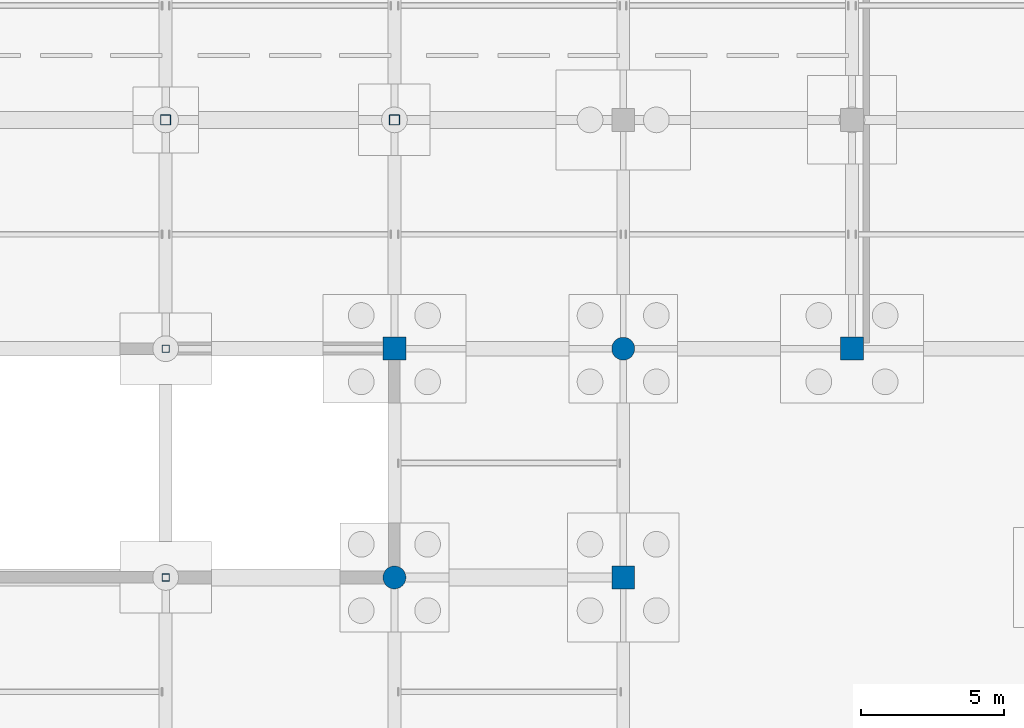
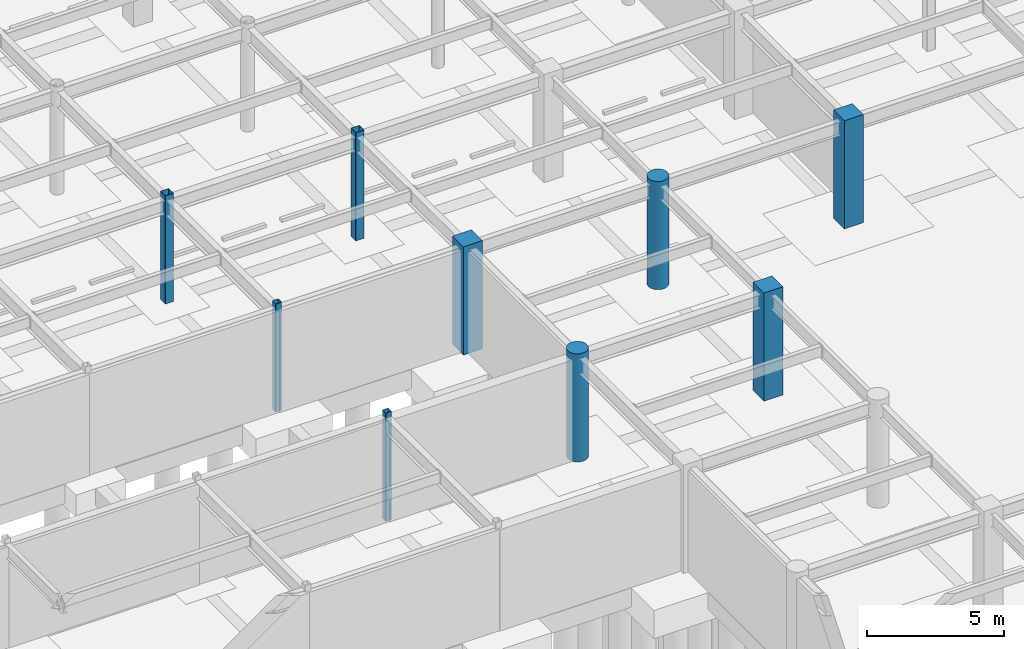
# One storey, part 29 of 105: 9 columns.
"""IFC4 building model written with IfcOpenShell, lengths in metres."""

from ifc_helpers import new_model, si_unit, direction, frame, origin, origin_2d, place, context, subcontext, project, spatial, rectangle, hollow_rectangle, circle, extrude, material, material_profile, profile_set, type_object, element, save


model = new_model("IFC4")

# Units and contexts
model_context = context("Model", 3, precision=1e-05, world=origin(), true_north=direction((0.0, 1.0)))
body_context = subcontext(model_context, "Body", "Model", "MODEL_VIEW")
ifc_project = project(units=[si_unit("LENGTHUNIT", "METRE"), si_unit("AREAUNIT", "SQUARE_METRE"), si_unit("VOLUMEUNIT", "CUBIC_METRE"), si_unit("PLANEANGLEUNIT", "RADIAN"), si_unit("MASSUNIT", "GRAM", prefix="KILO")], contexts=[model_context])

# Site, building, storey
site_placement = place(None, origin())
site = spatial("IfcSite", under=ifc_project, at=site_placement, CompositionType="ELEMENT")
building_placement = place(site_placement, origin())
building = spatial("IfcBuilding", under=site, at=building_placement, Name="Solmirada Galleria", CompositionType="ELEMENT")
storey_placement = place(building_placement, frame((0.0, 0.0, -4.800048828125)))
storey = spatial("IfcBuildingStorey", under=building, at=storey_placement, Name="B1", CompositionType="ELEMENT", Elevation=-4.800048828125)

# Columns
ifc_material_1 = material(Name="Concrete C40/50", Category="concrete")
ifc_material_profile_1 = material_profile(ifc_material_1, circle(Radius=0.39990234375, at=origin_2d()), Name="RCCOL800")
ifc_profile_set_1 = profile_set([ifc_material_profile_1], Name="Concrete C40/50")
column_type_1 = type_object("IfcColumnType", Name="COL-CIR800", PredefinedType="COLUMN", material=ifc_profile_set_1)
for number, where, z_axis, x_axis, name in (
    (1, (80.0, 64.0, 0.0), (0.0, 0.0, 1.0), (1.0, 0.0, 0.0), "Structural column B1-0405"),
    (2, (88.0, 72.0, 0.0), (0.0, 0.0, 1.0), (1.0, 0.0, 0.0), "Structural column B1-0533"),
):
    element("IfcColumn", number, at=place(storey_placement, frame(where, z_axis=z_axis, x_axis=x_axis)), inside=storey, type_object=column_type_1, Name=name, PredefinedType="COLUMN", context=body_context, shape_type="SweptSolid", body=[
        extrude(circle(Radius=0.39990234375, at=origin_2d()), origin(), (0.0, 0.0, 1.0), 4.800048828125),
    ])
ifc_material_2 = material(Name="Steel S355 / ASTM A500 Grade C", Category="steel")
ifc_material_profile_2 = material_profile(ifc_material_2, hollow_rectangle(XDim=0.25390625, YDim=0.25390625, WallThickness=0.0087890625, InnerFilletRadius=0.0087890625, OuterFilletRadius=0.017822265625, at=origin_2d()), Name="HSS10X10X3/8")
ifc_profile_set_2 = profile_set([ifc_material_profile_2], Name="Steel S355 / ASTM A500 Grade C")
column_type_2 = type_object("IfcColumnType", Name="COL-HSS10", PredefinedType="COLUMN", material=ifc_profile_set_2)
for number, where, z_axis, x_axis, name in (
    (3, (72.0, 64.0, 0.0), (0.0, 0.0, 1.0), (1.0, 0.0, 0.0), "Structural column B1-0302"),
    (4, (72.0, 72.0, 0.0), (0.0, 0.0, 1.0), (1.0, 0.0, 0.0), "Structural column B1-0304"),
):
    element("IfcColumn", number, at=place(storey_placement, frame(where, z_axis=z_axis, x_axis=x_axis)), inside=storey, type_object=column_type_2, Name=name, PredefinedType="COLUMN", context=body_context, shape_type="SweptSolid", body=[
        extrude(hollow_rectangle(XDim=0.25390625, YDim=0.25390625, WallThickness=0.0087890625, InnerFilletRadius=0.0087890625, OuterFilletRadius=0.017822265625, at=origin_2d()), origin(), (0.0, 0.0, 1.0), 4.800048828125),
    ])
ifc_material_profile_3 = material_profile(ifc_material_2, hollow_rectangle(XDim=0.35595703125, YDim=0.35595703125, WallThickness=0.01171875, InnerFilletRadius=0.01171875, OuterFilletRadius=0.023681640625, at=origin_2d()), Name="HSS14X14X1/2")
ifc_profile_set_3 = profile_set([ifc_material_profile_3], Name="Steel S355 / ASTM A500 Grade C")
column_type_3 = type_object("IfcColumnType", Name="COL-HSS14", PredefinedType="COLUMN", material=ifc_profile_set_3)
for number, where, z_axis, x_axis, name in (
    (5, (72.0, 80.0, 0.0), (0.0, 0.0, 1.0), (1.0, 0.0, 0.0), "Structural column B1-0306"),
    (6, (80.0, 80.0, 0.0), (0.0, 0.0, 1.0), (1.0, 0.0, 0.0), "Structural column B1-0423"),
):
    element("IfcColumn", number, at=place(storey_placement, frame(where, z_axis=z_axis, x_axis=x_axis)), inside=storey, type_object=column_type_3, Name=name, PredefinedType="COLUMN", context=body_context, shape_type="SweptSolid", body=[
        extrude(hollow_rectangle(XDim=0.35595703125, YDim=0.35595703125, WallThickness=0.01171875, InnerFilletRadius=0.01171875, OuterFilletRadius=0.023681640625, at=origin_2d()), origin(), (0.0, 0.0, 1.0), 4.800048828125),
    ])
ifc_material_profile_4 = material_profile(ifc_material_1, rectangle(XDim=0.800048828125, YDim=0.800048828125, at=origin_2d()), Name="RC800X800")
ifc_profile_set_4 = profile_set([ifc_material_profile_4], Name="Concrete C40/50")
column_type_4 = type_object("IfcColumnType", Name="COL-RC800", PredefinedType="COLUMN", material=ifc_profile_set_4)
for number, where, z_axis, x_axis, name in (
    (7, (80.0, 72.0, 0.0), (0.0, 0.0, 1.0), (1.0, 0.0, 0.0), "Structural column B1-0414"),
    (8, (88.0, 64.0, 0.0), (0.0, 0.0, 1.0), (1.0, 0.0, 0.0), "Structural column B1-0526"),
    (9, (96.0, 72.0, 0.0), (0.0, 0.0, 1.0), (1.0, 0.0, 0.0), "Structural column B1-0641"),
):
    element("IfcColumn", number, at=place(storey_placement, frame(where, z_axis=z_axis, x_axis=x_axis)), inside=storey, type_object=column_type_4, Name=name, PredefinedType="COLUMN", context=body_context, shape_type="SweptSolid", body=[
        extrude(rectangle(XDim=0.800048828125, YDim=0.800048828125, at=origin_2d()), origin(), (0.0, 0.0, 1.0), 4.800048828125),
    ])

save(model, "model.ifc")
